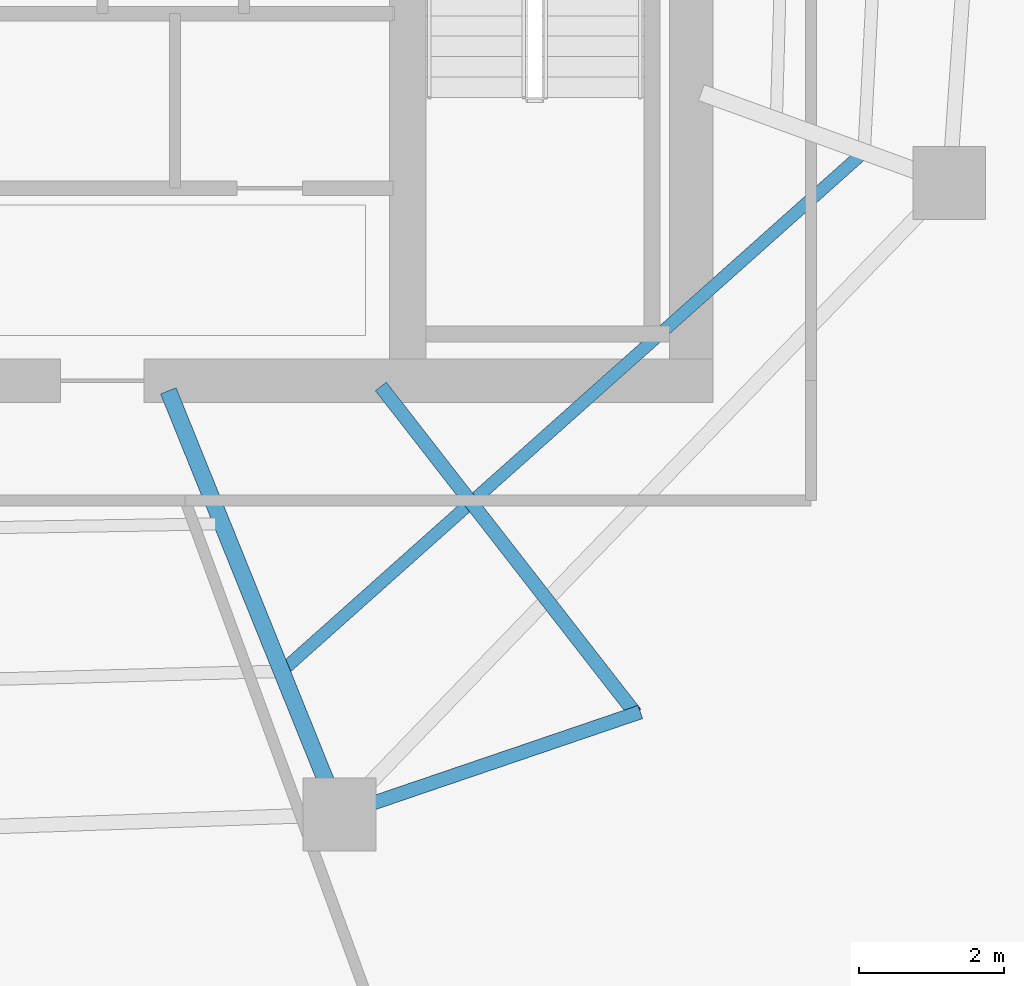
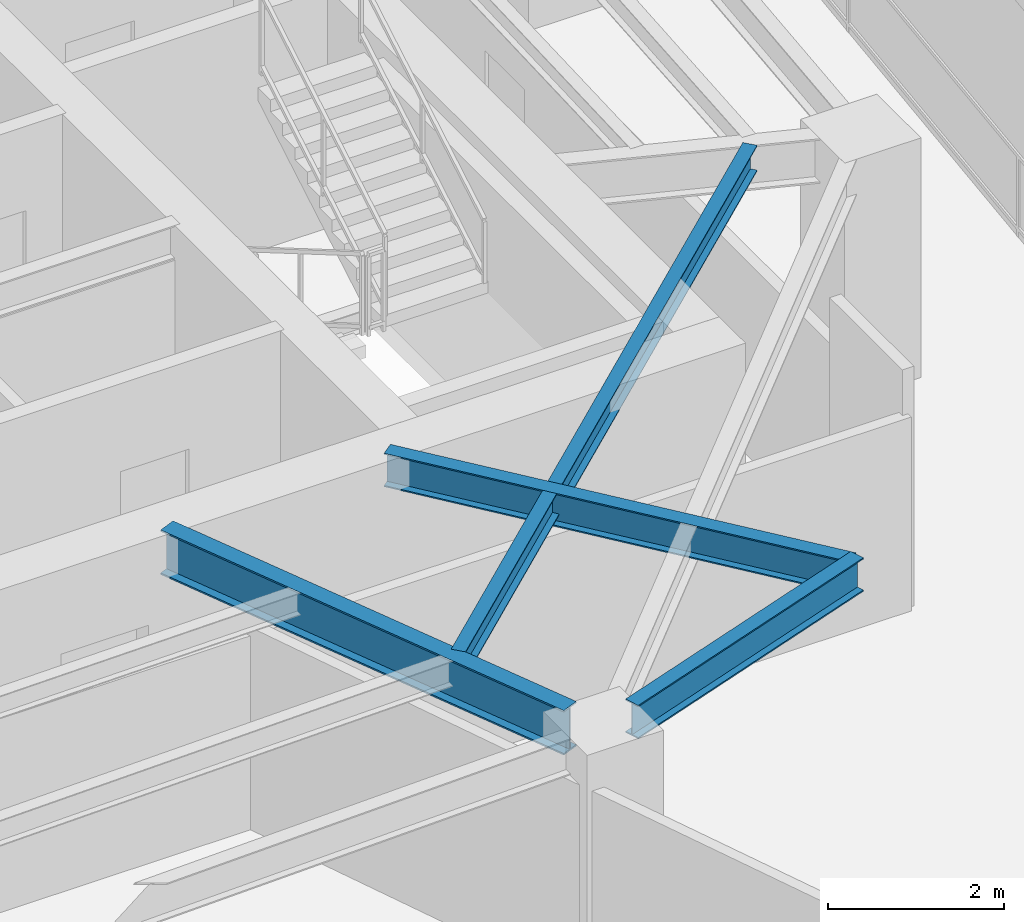
# One storey, part 5 of 21: 4 beams.
"""IFC4 building model written with IfcOpenShell, lengths in metres."""

from ifc_helpers import new_model, si_unit, direction, frame, origin, origin_2d, place, context, subcontext, project, spatial, i_section, extrude, material, material_profile, profile_set, type_object, element, save


model = new_model("IFC4")

# Units and contexts
model_context = context("Model", 3, precision=1e-05, world=origin(), true_north=direction((0.0, 1.0)))
body_context = subcontext(model_context, "Body", "Model", "MODEL_VIEW")
ifc_project = project(units=[si_unit("LENGTHUNIT", "METRE"), si_unit("AREAUNIT", "SQUARE_METRE"), si_unit("VOLUMEUNIT", "CUBIC_METRE"), si_unit("PLANEANGLEUNIT", "RADIAN"), si_unit("MASSUNIT", "GRAM", prefix="KILO")], contexts=[model_context])

# Site, building, storey
site_placement = place(None, origin())
site = spatial("IfcSite", under=ifc_project, at=site_placement, CompositionType="ELEMENT")
building_placement = place(site_placement, origin())
building = spatial("IfcBuilding", under=site, at=building_placement, Name="Qarnah Convention Tower", CompositionType="ELEMENT")
storey_placement = place(building_placement, frame((0.0, 0.0, 161.699951171875)))
storey = spatial("IfcBuildingStorey", under=building, at=storey_placement, Name="L43", CompositionType="ELEMENT", Elevation=161.699951171875)

# Beams
ifc_material = material(Name="Structural steel S355JR", Category="steel")
ifc_material_profile_1 = material_profile(ifc_material, i_section(OverallWidth=0.19189453125, OverallDepth=0.464111328125, WebThickness=0.010986328125, FlangeThickness=0.01806640625, at=origin_2d()), Name="W460X89")
ifc_profile_set_1 = profile_set([ifc_material_profile_1], Name="Structural steel S355JR")
beam_type_1 = type_object("IfcBeamType", Name="BM-CANT-W460A", PredefinedType="BEAM", material=ifc_profile_set_1)
beam_1_placement = place(storey_placement, frame((43.3310546875, 18.52099609375, 3.088134765625), z_axis=(0.614224930977, -0.789130999369, 0.0), x_axis=(0.789130999369, 0.614224930977, 0.0)))
element("IfcBeam", 1, at=beam_1_placement, inside=storey, type_object=beam_type_1, Name="L43 beam BM-L43-CNT-03-1", PredefinedType="BEAM", context=body_context, shape_type="SweptSolid", body=[
    extrude(i_section(OverallWidth=0.19189453125, OverallDepth=0.464111328125, WebThickness=0.010986328125, FlangeThickness=0.01806640625, at=origin_2d()), origin(), (0.0, 0.0, 1.0), 5.706298828125),
])
beam_2_placement = place(storey_placement, frame((46.902099609375, 14.041015625, 3.088134765625), z_axis=(-0.946581312558, -0.322465220939, 0.0), x_axis=(0.322465220939, -0.946581312558, 0.0)))
element("IfcBeam", 2, at=beam_2_placement, inside=storey, type_object=beam_type_1, Name="L43 spandrel BM-L43-CTIE-03", PredefinedType="SPANDREL", context=body_context, shape_type="SweptSolid", body=[
    extrude(i_section(OverallWidth=0.19189453125, OverallDepth=0.464111328125, WebThickness=0.010986328125, FlangeThickness=0.01806640625, at=origin_2d()), origin(), (0.0, 0.0, 1.0), 3.88232421875),
])
ifc_material_profile_2 = material_profile(ifc_material, i_section(OverallWidth=0.172119140625, OverallDepth=0.35595703125, WebThickness=0.007080078125, FlangeThickness=0.011962890625, at=origin_2d()), Name="W360X51")
ifc_profile_set_2 = profile_set([ifc_material_profile_2], Name="Structural steel S355JR")
beam_type_2 = type_object("IfcBeamType", Name="BM-JST-W360", PredefinedType="JOIST", material=ifc_profile_set_2)
beam_3_placement = place(storey_placement, frame((42.033935546875, 14.660888671875, 3.14208984375), z_axis=(0.746348207253, 0.66555567275, 0.0), x_axis=(-0.66555567275, 0.746348207253, 0.0)))
element("IfcBeam", 3, at=beam_3_placement, inside=storey, type_object=beam_type_2, Name="L43 joist BM-L43-SJST-08", PredefinedType="JOIST", context=body_context, shape_type="SweptSolid", body=[
    extrude(i_section(OverallWidth=0.172119140625, OverallDepth=0.35595703125, WebThickness=0.007080078125, FlangeThickness=0.011962890625, at=origin_2d()), origin(), (0.0, 0.0, 1.0), 10.558349609375),
])
ifc_material_profile_3 = material_profile(ifc_material, i_section(OverallWidth=0.22998046875, OverallDepth=0.617919921875, WebThickness=0.012939453125, FlangeThickness=0.02197265625, at=origin_2d()), Name="W610X140")
ifc_profile_set_3 = profile_set([ifc_material_profile_3], Name="Structural steel S355JR")
beam_type_3 = type_object("IfcBeamType", Name="BM-RAD-W610A", PredefinedType="BEAM", material=ifc_profile_set_3)
beam_4_placement = place(storey_placement, frame((40.406982421875, 18.4609375, 3.010986328125), z_axis=(0.374656949885, -0.927163507642, 0.0), x_axis=(0.927163507642, 0.374656949885, 0.0)))
element("IfcBeam", 4, at=beam_4_placement, inside=storey, type_object=beam_type_3, Name="L43 beam BM-L43-RAD-08", PredefinedType="BEAM", context=body_context, shape_type="SweptSolid", body=[
    extrude(i_section(OverallWidth=0.22998046875, OverallDepth=0.617919921875, WebThickness=0.012939453125, FlangeThickness=0.02197265625, at=origin_2d()), origin(), (0.0, 0.0, 1.0), 5.80810546875),
])

save(model, "model.ifc")
